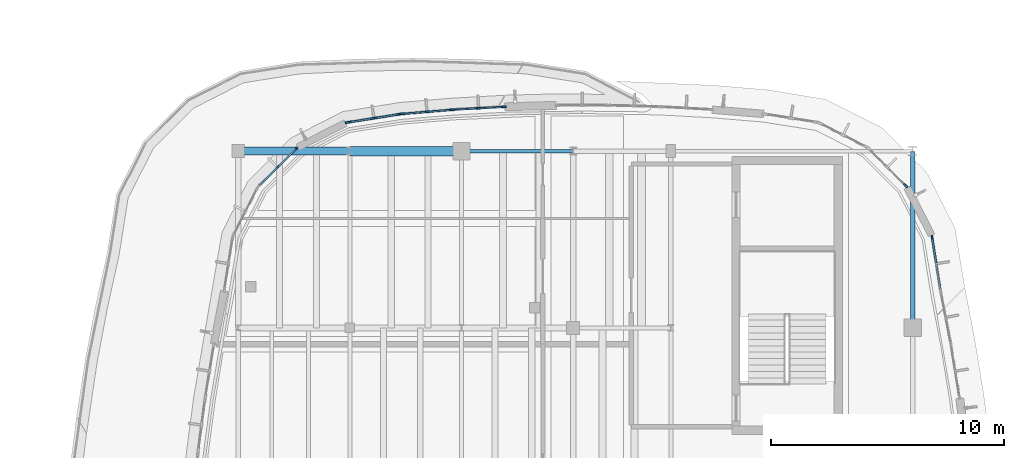
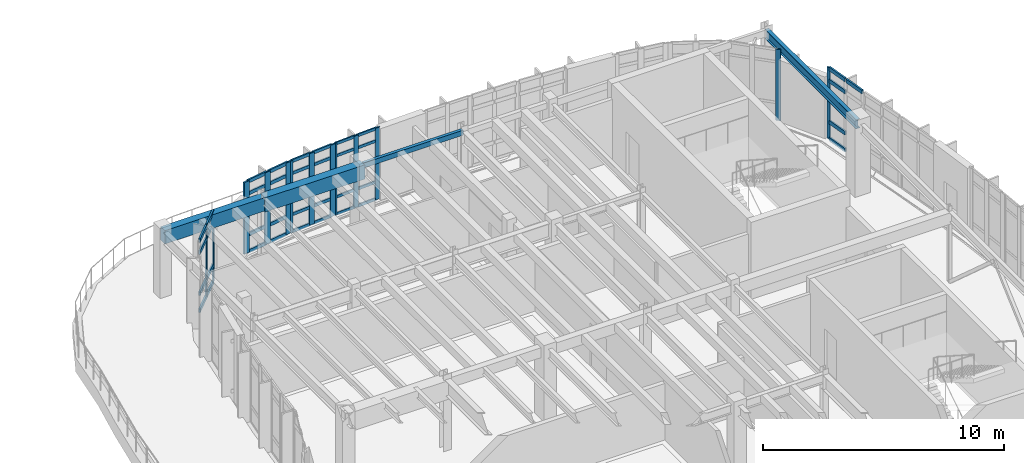
# One storey, part 49 of 105: 50 members, 4 beams, 6 elements without a shape of their own.
"""IFC4 building model written with IfcOpenShell, lengths in metres."""

from ifc_helpers import new_model, si_unit, direction, frame, origin, origin_2d, place, context, subcontext, project, spatial, rectangle, hollow_rectangle, i_section, extrude, material, material_profile, profile_set, type_object, element, aggregate, save


model = new_model("IFC4")

# Units and contexts
model_context = context("Model", 3, precision=1e-05, world=origin(), true_north=direction((0.0, 1.0)))
body_context = subcontext(model_context, "Body", "Model", "MODEL_VIEW")
ifc_project = project(units=[si_unit("LENGTHUNIT", "METRE"), si_unit("AREAUNIT", "SQUARE_METRE"), si_unit("VOLUMEUNIT", "CUBIC_METRE"), si_unit("PLANEANGLEUNIT", "RADIAN"), si_unit("MASSUNIT", "GRAM", prefix="KILO")], contexts=[model_context])

# Site, building, storey
site_placement = place(None, origin())
site = spatial("IfcSite", under=ifc_project, at=site_placement, CompositionType="ELEMENT")
building_placement = place(site_placement, origin())
building = spatial("IfcBuilding", under=site, at=building_placement, Name="Corveleigh Park Community Centre", CompositionType="ELEMENT")
storey_placement = place(building_placement, frame((0.0, 0.0, 8.699951171875)))
storey = spatial("IfcBuildingStorey", under=building, at=storey_placement, Name="L02", CompositionType="ELEMENT", Elevation=8.699951171875)

# Beam
ifc_material_1 = material(Name="Steel S355", Category="steel")
ifc_material_profile_1 = material_profile(ifc_material_1, i_section(OverallWidth=0.19189453125, OverallDepth=0.46337890625, WebThickness=0.010498046875, FlangeThickness=0.017578125, at=origin_2d()), Name="UKB 457x191x89", Category="steel")
ifc_profile_set_1 = profile_set([ifc_material_profile_1], Name="Steel S355")
beam_type_1 = type_object("IfcBeamType", Name="BM-STL-UKB457x89", PredefinedType="BEAM", material=ifc_profile_set_1)
beam_1_placement = place(storey_placement, frame((168.39990234375, 96.60498046875, 3.410400390625), z_axis=(0.0, 1.0, 0.0), x_axis=(-1.0, 0.0, 0.0)))
element("IfcBeam", 1, at=beam_1_placement, inside=storey, type_object=beam_type_1, Name="V4 Girder Y", PredefinedType="BEAM", context=body_context, shape_type="SweptSolid", body=[
    extrude(i_section(OverallWidth=0.19189453125, OverallDepth=0.46337890625, WebThickness=0.010498046875, FlangeThickness=0.017578125, at=origin_2d()), origin(), (0.0, 0.0, 1.0), 7.590087890625),
])

# Curtain wall, members
ifc_material_2 = material(Name="Anodised aluminium 6063-T6", Category="aluminium")
curtain_wall_type = type_object("IfcCurtainWallType", Name="CW-SYS-V4-L01", PredefinedType="NOTDEFINED", material=ifc_material_2)
curtain_wall_1_placement = place(storey_placement, origin())
curtain_wall_1 = element("IfcCurtainWall", 2, at=curtain_wall_1_placement, inside=storey, type_object=curtain_wall_type, Name="V4 L02 Curtain Wall 385", PredefinedType="NOTDEFINED")
ifc_material_profile_2 = material_profile(ifc_material_2, rectangle(XDim=0.06005859375, YDim=0.159912109375, at=origin_2d()), Name="ALU-M60x160", Category="aluminium")
ifc_profile_set_2 = profile_set([ifc_material_profile_2], Name="Anodised aluminium 6063-T6")
member_type_1 = type_object("IfcMemberType", Name="CWM-60x160", PredefinedType="MULLION", material=ifc_profile_set_2)
member_1_placement = place(storey_placement, frame((141.092041015625, 103.508056640625, 0.0), z_axis=(0.0, 0.0, 1.0), x_axis=(-0.707106781187, 0.707106781187, 0.0)))
member_1 = element("IfcMember", 3, at=member_1_placement, type_object=member_type_1, Name="CW08 mullion 2", PredefinedType="MULLION", context=body_context, shape_type="SweptSolid", body=[
    extrude(rectangle(XDim=0.06005859375, YDim=0.159912109375, at=origin_2d()), origin(), (0.0, 0.0, 1.0), 3.636962890625),
])
member_2_placement = place(storey_placement, frame((141.884765625, 104.30078125, 0.0), z_axis=(0.0, 0.0, 1.0), x_axis=(-0.707106781187, 0.707106781187, 0.0)))
member_2 = element("IfcMember", 4, at=member_2_placement, type_object=member_type_1, Name="CW08 mullion 3", PredefinedType="MULLION", context=body_context, shape_type="SweptSolid", body=[
    extrude(rectangle(XDim=0.06005859375, YDim=0.159912109375, at=origin_2d()), origin(), (0.0, 0.0, 1.0), 3.636962890625),
])

# Curtain wall, member
curtain_wall_2_placement = place(storey_placement, origin())
curtain_wall_2 = element("IfcCurtainWall", 5, at=curtain_wall_2_placement, inside=storey, type_object=curtain_wall_type, Name="V4 L02 Curtain Wall 375", PredefinedType="NOTDEFINED")
ifc_material_profile_3 = material_profile(ifc_material_2, rectangle(XDim=0.070068359375, YDim=0.199951171875, at=origin_2d()), Name="ALU-M70x200", Category="aluminium")
ifc_profile_set_3 = profile_set([ifc_material_profile_3], Name="Anodised aluminium 6063-T6")
member_type_2 = type_object("IfcMemberType", Name="CWM-70x200", PredefinedType="MULLION", material=ifc_profile_set_3)
member_3_placement = place(storey_placement, frame((169.239501953125, 100.476318359375, 0.0), z_axis=(0.0, 0.0, 1.0), x_axis=(0.987661875101, 0.156601470208, 0.0)))
member_3 = element("IfcMember", 6, at=member_3_placement, type_object=member_type_2, Name="CW08 mullion 1", PredefinedType="MULLION", context=body_context, shape_type="SweptSolid", body=[
    extrude(rectangle(XDim=0.070068359375, YDim=0.199951171875, at=origin_2d()), origin(), (0.0, 0.0, 1.0), 3.64208984375),
])

curtain_wall_3_placement = place(storey_placement, origin())
curtain_wall_3 = element("IfcCurtainWall", 7, at=curtain_wall_3_placement, inside=storey, type_object=curtain_wall_type, Name="V4 L02 Curtain Wall 376", PredefinedType="NOTDEFINED")
ifc_material_profile_4 = material_profile(ifc_material_2, rectangle(XDim=0.074951171875, YDim=0.219970703125, at=origin_2d()), Name="ALU-M75x220", Category="aluminium")
ifc_profile_set_4 = profile_set([ifc_material_profile_4], Name="Anodised aluminium 6063-T6")
member_type_3 = type_object("IfcMemberType", Name="CWM-75x220", PredefinedType="MULLION", material=ifc_profile_set_4)
member_4_placement = place(storey_placement, frame((168.095458984375, 102.720458984375, 0.0), z_axis=(0.0, 0.0, 1.0), x_axis=(0.707106781187, 0.707106781187, 0.0)))
member_4 = element("IfcMember", 8, at=member_4_placement, type_object=member_type_3, Name="CW08 mullion 3", PredefinedType="MULLION", context=body_context, shape_type="SweptSolid", body=[
    extrude(rectangle(XDim=0.074951171875, YDim=0.219970703125, at=origin_2d()), origin(), (0.0, 0.0, 1.0), 3.612060546875),
])
aggregate(curtain_wall_3, [member_4])

# Curtain wall, members
curtain_wall_4_placement = place(storey_placement, origin())
curtain_wall_4 = element("IfcCurtainWall", 9, at=curtain_wall_4_placement, inside=storey, type_object=curtain_wall_type, Name="V4 L02 Curtain Wall 382", PredefinedType="NOTDEFINED")
member_5_placement = place(storey_placement, frame((148.67041015625, 105.986083984375, 0.0), z_axis=(0.0, 0.0, 1.0), x_axis=(-0.055545052181, 0.998456181902, 0.0)))
member_5 = element("IfcMember", 10, at=member_5_placement, type_object=member_type_3, Name="CW08 mullion 1", PredefinedType="MULLION", context=body_context, shape_type="SweptSolid", body=[
    extrude(rectangle(XDim=0.074951171875, YDim=0.219970703125, at=origin_2d()), origin(), (0.0, 0.0, 1.0), 3.636962890625),
])
member_6_placement = place(storey_placement, frame((149.738525390625, 106.04541015625, 0.0), z_axis=(0.0, 0.0, 1.0), x_axis=(-0.055545052181, 0.998456181902, 0.0)))
member_6 = element("IfcMember", 11, at=member_6_placement, type_object=member_type_3, Name="CW08 mullion 2", PredefinedType="MULLION", context=body_context, shape_type="SweptSolid", body=[
    extrude(rectangle(XDim=0.074951171875, YDim=0.219970703125, at=origin_2d()), origin(), (0.0, 0.0, 1.0), 3.636962890625),
])
member_7_placement = place(storey_placement, frame((150.806640625, 106.10498046875, 0.0), z_axis=(0.0, 0.0, 1.0), x_axis=(-0.055545052181, 0.998456181902, 0.0)))
member_7 = element("IfcMember", 12, at=member_7_placement, type_object=member_type_3, Name="CW08 mullion 3", PredefinedType="MULLION", context=body_context, shape_type="SweptSolid", body=[
    extrude(rectangle(XDim=0.074951171875, YDim=0.219970703125, at=origin_2d()), origin(), (0.0, 0.0, 1.0), 3.636962890625),
])

curtain_wall_5_placement = place(storey_placement, origin())
curtain_wall_5 = element("IfcCurtainWall", 13, at=curtain_wall_5_placement, inside=storey, type_object=curtain_wall_type, Name="V4 L02 Curtain Wall 383", PredefinedType="NOTDEFINED")
ifc_material_profile_5 = material_profile(ifc_material_2, rectangle(XDim=0.080078125, YDim=0.25, at=origin_2d()), Name="ALU-M80x250", Category="aluminium")
ifc_profile_set_5 = profile_set([ifc_material_profile_5], Name="Anodised aluminium 6063-T6")
member_type_4 = type_object("IfcMemberType", Name="CWM-80x250", PredefinedType="MULLION", material=ifc_profile_set_5)
member_8_placement = place(storey_placement, frame((146.452880859375, 105.80419921875, 0.0), z_axis=(0.0, 0.0, 1.0), x_axis=(-0.082371258806, 0.996601713686, 0.0)))
member_8 = element("IfcMember", 14, at=member_8_placement, type_object=member_type_4, Name="CW08 mullion 1", PredefinedType="MULLION", context=body_context, shape_type="SweptSolid", body=[
    extrude(rectangle(XDim=0.080078125, YDim=0.25, at=origin_2d()), origin(), (0.0, 0.0, 1.0), 3.636962890625),
])
member_9_placement = place(storey_placement, frame((147.513916015625, 105.89208984375, 0.0), z_axis=(0.0, 0.0, 1.0), x_axis=(-0.082371258806, 0.996601713686, 0.0)))
member_9 = element("IfcMember", 15, at=member_9_placement, type_object=member_type_4, Name="CW08 mullion 2", PredefinedType="MULLION", context=body_context, shape_type="SweptSolid", body=[
    extrude(rectangle(XDim=0.080078125, YDim=0.25, at=origin_2d()), origin(), (0.0, 0.0, 1.0), 3.636962890625),
])
member_10_placement = place(storey_placement, frame((148.5751953125, 105.979736328125, 0.0), z_axis=(0.0, 0.0, 1.0), x_axis=(-0.082371258806, 0.996601713686, 0.0)))
member_10 = element("IfcMember", 16, at=member_10_placement, type_object=member_type_4, Name="CW08 mullion 3", PredefinedType="MULLION", context=body_context, shape_type="SweptSolid", body=[
    extrude(rectangle(XDim=0.080078125, YDim=0.25, at=origin_2d()), origin(), (0.0, 0.0, 1.0), 3.636962890625),
])

curtain_wall_6_placement = place(storey_placement, origin())
curtain_wall_6 = element("IfcCurtainWall", 17, at=curtain_wall_6_placement, inside=storey, type_object=curtain_wall_type, Name="V4 L02 Curtain Wall 384", PredefinedType="NOTDEFINED")
ifc_material_profile_6 = material_profile(ifc_material_2, rectangle(XDim=0.0849609375, YDim=0.27490234375, at=origin_2d()), Name="ALU-M85x275", Category="aluminium")
ifc_profile_set_6 = profile_set([ifc_material_profile_6], Name="Anodised aluminium 6063-T6")
member_type_5 = type_object("IfcMemberType", Name="CWM-85x275", PredefinedType="MULLION", material=ifc_profile_set_6)
member_11_placement = place(storey_placement, frame((144.130859375, 105.440673828125, 0.0), z_axis=(0.0, 0.0, 1.0), x_axis=(-0.156448115315, 0.987686178507, 0.0)))
member_11 = element("IfcMember", 18, at=member_11_placement, type_object=member_type_5, Name="CW08 mullion 1", PredefinedType="MULLION", context=body_context, shape_type="SweptSolid", body=[
    extrude(rectangle(XDim=0.0849609375, YDim=0.27490234375, at=origin_2d()), origin(), (0.0, 0.0, 1.0), 3.636962890625),
])
member_12_placement = place(storey_placement, frame((145.238037109375, 105.615966796875, 0.0), z_axis=(0.0, 0.0, 1.0), x_axis=(-0.156448115315, 0.987686178507, 0.0)))
member_12 = element("IfcMember", 19, at=member_12_placement, type_object=member_type_5, Name="CW08 mullion 2", PredefinedType="MULLION", context=body_context, shape_type="SweptSolid", body=[
    extrude(rectangle(XDim=0.0849609375, YDim=0.27490234375, at=origin_2d()), origin(), (0.0, 0.0, 1.0), 3.636962890625),
])
member_13_placement = place(storey_placement, frame((146.344970703125, 105.791259765625, 0.0), z_axis=(0.0, 0.0, 1.0), x_axis=(-0.156448115315, 0.987686178507, 0.0)))
member_13 = element("IfcMember", 20, at=member_13_placement, type_object=member_type_5, Name="CW08 mullion 3", PredefinedType="MULLION", context=body_context, shape_type="SweptSolid", body=[
    extrude(rectangle(XDim=0.0849609375, YDim=0.27490234375, at=origin_2d()), origin(), (0.0, 0.0, 1.0), 3.636962890625),
])

# Member
ifc_material_profile_7 = material_profile(ifc_material_2, rectangle(XDim=0.06494140625, YDim=0.139892578125, at=origin_2d()), Name="ALU-T65x140", Category="aluminium")
ifc_profile_set_7 = profile_set([ifc_material_profile_7], Name="Anodised aluminium 6063-T6")
member_type_6 = type_object("IfcMemberType", Name="CWT-65x140", PredefinedType="USERDEFINED", material=ifc_profile_set_7)
member_14_placement = place(storey_placement, frame((148.707763671875, 105.98828125, 0.032470703125), z_axis=(0.998461108136, 0.055456429206, 0.0), x_axis=(-0.055456429206, 0.998461108136, 0.0)))
member_14 = element("IfcMember", 21, at=member_14_placement, type_object=member_type_6, Name="CW08 transom 1.1", ObjectType="TRANSOM", PredefinedType="USERDEFINED", context=body_context, shape_type="SweptSolid", body=[
    extrude(rectangle(XDim=0.06494140625, YDim=0.139892578125, at=origin_2d()), origin(), (0.0, 0.0, 1.0), 0.994873046875),
])

member_15_placement = place(storey_placement, frame((148.707763671875, 105.98828125, 0.900146484375), z_axis=(0.998461108136, 0.055456429206, 0.0), x_axis=(-0.055456429206, 0.998461108136, 0.0)))
member_15 = element("IfcMember", 22, at=member_15_placement, type_object=member_type_6, Name="CW08 transom 1.2", ObjectType="TRANSOM", PredefinedType="USERDEFINED", context=body_context, shape_type="SweptSolid", body=[
    extrude(rectangle(XDim=0.06494140625, YDim=0.139892578125, at=origin_2d()), origin(), (0.0, 0.0, 1.0), 0.994873046875),
])

member_16_placement = place(storey_placement, frame((148.707763671875, 105.98828125, 2.987060546875), z_axis=(0.998461108136, 0.055456429206, 0.0), x_axis=(-0.055456429206, 0.998461108136, 0.0)))
member_16 = element("IfcMember", 23, at=member_16_placement, type_object=member_type_6, Name="CW08 transom 1.3", ObjectType="TRANSOM", PredefinedType="USERDEFINED", context=body_context, shape_type="SweptSolid", body=[
    extrude(rectangle(XDim=0.06494140625, YDim=0.139892578125, at=origin_2d()), origin(), (0.0, 0.0, 1.0), 0.994873046875),
])

member_17_placement = place(storey_placement, frame((148.707763671875, 105.98828125, 3.6044921875), z_axis=(0.998461108136, 0.055456429206, 0.0), x_axis=(-0.055456429206, 0.998461108136, 0.0)))
member_17 = element("IfcMember", 24, at=member_17_placement, type_object=member_type_6, Name="CW08 transom 1.4", ObjectType="TRANSOM", PredefinedType="USERDEFINED", context=body_context, shape_type="SweptSolid", body=[
    extrude(rectangle(XDim=0.06494140625, YDim=0.139892578125, at=origin_2d()), origin(), (0.0, 0.0, 1.0), 0.994873046875),
])

member_18_placement = place(storey_placement, frame((149.77587890625, 106.047607421875, 0.032470703125), z_axis=(0.998460353205, 0.055470019623, 0.0), x_axis=(-0.055470019623, 0.998460353205, 0.0)))
member_18 = element("IfcMember", 25, at=member_18_placement, type_object=member_type_6, Name="CW08 transom 2.1", ObjectType="TRANSOM", PredefinedType="USERDEFINED", context=body_context, shape_type="SweptSolid", body=[
    extrude(rectangle(XDim=0.06494140625, YDim=0.139892578125, at=origin_2d()), origin(), (0.0, 0.0, 1.0), 0.99462890625),
])

member_19_placement = place(storey_placement, frame((149.77587890625, 106.047607421875, 0.900146484375), z_axis=(0.998460353205, 0.055470019623, 0.0), x_axis=(-0.055470019623, 0.998460353205, 0.0)))
member_19 = element("IfcMember", 26, at=member_19_placement, type_object=member_type_6, Name="CW08 transom 2.2", ObjectType="TRANSOM", PredefinedType="USERDEFINED", context=body_context, shape_type="SweptSolid", body=[
    extrude(rectangle(XDim=0.06494140625, YDim=0.139892578125, at=origin_2d()), origin(), (0.0, 0.0, 1.0), 0.99462890625),
])

member_20_placement = place(storey_placement, frame((149.77587890625, 106.047607421875, 2.987060546875), z_axis=(0.998460353205, 0.055470019623, 0.0), x_axis=(-0.055470019623, 0.998460353205, 0.0)))
member_20 = element("IfcMember", 27, at=member_20_placement, type_object=member_type_6, Name="CW08 transom 2.3", ObjectType="TRANSOM", PredefinedType="USERDEFINED", context=body_context, shape_type="SweptSolid", body=[
    extrude(rectangle(XDim=0.06494140625, YDim=0.139892578125, at=origin_2d()), origin(), (0.0, 0.0, 1.0), 0.99462890625),
])

member_21_placement = place(storey_placement, frame((149.77587890625, 106.047607421875, 3.6044921875), z_axis=(0.998460353205, 0.055470019623, 0.0), x_axis=(-0.055470019623, 0.998460353205, 0.0)))
member_21 = element("IfcMember", 28, at=member_21_placement, type_object=member_type_6, Name="CW08 transom 2.4", ObjectType="TRANSOM", PredefinedType="USERDEFINED", context=body_context, shape_type="SweptSolid", body=[
    extrude(rectangle(XDim=0.06494140625, YDim=0.139892578125, at=origin_2d()), origin(), (0.0, 0.0, 1.0), 0.99462890625),
])

aggregate(curtain_wall_4, [member_5, member_6, member_7, member_14, member_15, member_16, member_17, member_18, member_19, member_20, member_21])

ifc_material_profile_8 = material_profile(ifc_material_2, rectangle(XDim=0.070068359375, YDim=0.155029296875, at=origin_2d()), Name="ALU-T70x155", Category="aluminium")
ifc_profile_set_8 = profile_set([ifc_material_profile_8], Name="Anodised aluminium 6063-T6")
member_type_7 = type_object("IfcMemberType", Name="CWT-70x155", PredefinedType="USERDEFINED", material=ifc_profile_set_8)
member_22_placement = place(storey_placement, frame((146.49267578125, 105.8076171875, 0.03515625), z_axis=(0.996607035144, 0.082306849669, 0.0), x_axis=(-0.082306849669, 0.996607035144, 0.0)))
member_22 = element("IfcMember", 29, at=member_22_placement, type_object=member_type_7, Name="CW08 transom 1.1", ObjectType="TRANSOM", PredefinedType="USERDEFINED", context=body_context, shape_type="SweptSolid", body=[
    extrude(rectangle(XDim=0.070068359375, YDim=0.155029296875, at=origin_2d()), origin(), (0.0, 0.0, 1.0), 0.98486328125),
])

member_23_placement = place(storey_placement, frame((146.49267578125, 105.8076171875, 0.900146484375), z_axis=(0.996607035144, 0.082306849669, 0.0), x_axis=(-0.082306849669, 0.996607035144, 0.0)))
member_23 = element("IfcMember", 30, at=member_23_placement, type_object=member_type_7, Name="CW08 transom 1.2", ObjectType="TRANSOM", PredefinedType="USERDEFINED", context=body_context, shape_type="SweptSolid", body=[
    extrude(rectangle(XDim=0.070068359375, YDim=0.155029296875, at=origin_2d()), origin(), (0.0, 0.0, 1.0), 0.98486328125),
])

member_24_placement = place(storey_placement, frame((146.49267578125, 105.8076171875, 2.987060546875), z_axis=(0.996607035144, 0.082306849669, 0.0), x_axis=(-0.082306849669, 0.996607035144, 0.0)))
member_24 = element("IfcMember", 31, at=member_24_placement, type_object=member_type_7, Name="CW08 transom 1.3", ObjectType="TRANSOM", PredefinedType="USERDEFINED", context=body_context, shape_type="SweptSolid", body=[
    extrude(rectangle(XDim=0.070068359375, YDim=0.155029296875, at=origin_2d()), origin(), (0.0, 0.0, 1.0), 0.98486328125),
])

member_25_placement = place(storey_placement, frame((146.49267578125, 105.8076171875, 3.60205078125), z_axis=(0.996607035144, 0.082306849669, 0.0), x_axis=(-0.082306849669, 0.996607035144, 0.0)))
member_25 = element("IfcMember", 32, at=member_25_placement, type_object=member_type_7, Name="CW08 transom 1.4", ObjectType="TRANSOM", PredefinedType="USERDEFINED", context=body_context, shape_type="SweptSolid", body=[
    extrude(rectangle(XDim=0.070068359375, YDim=0.155029296875, at=origin_2d()), origin(), (0.0, 0.0, 1.0), 0.98486328125),
])

member_26_placement = place(storey_placement, frame((147.553955078125, 105.895263671875, 0.03515625), z_axis=(0.99660535506, 0.082327190316, 0.0), x_axis=(-0.082327190316, 0.99660535506, 0.0)))
member_26 = element("IfcMember", 33, at=member_26_placement, type_object=member_type_7, Name="CW08 transom 2.1", ObjectType="TRANSOM", PredefinedType="USERDEFINED", context=body_context, shape_type="SweptSolid", body=[
    extrude(rectangle(XDim=0.070068359375, YDim=0.155029296875, at=origin_2d()), origin(), (0.0, 0.0, 1.0), 0.984619140625),
])

member_27_placement = place(storey_placement, frame((147.553955078125, 105.895263671875, 0.900146484375), z_axis=(0.99660535506, 0.082327190316, 0.0), x_axis=(-0.082327190316, 0.99660535506, 0.0)))
member_27 = element("IfcMember", 34, at=member_27_placement, type_object=member_type_7, Name="CW08 transom 2.2", ObjectType="TRANSOM", PredefinedType="USERDEFINED", context=body_context, shape_type="SweptSolid", body=[
    extrude(rectangle(XDim=0.070068359375, YDim=0.155029296875, at=origin_2d()), origin(), (0.0, 0.0, 1.0), 0.984619140625),
])

member_28_placement = place(storey_placement, frame((147.553955078125, 105.895263671875, 2.987060546875), z_axis=(0.99660535506, 0.082327190316, 0.0), x_axis=(-0.082327190316, 0.99660535506, 0.0)))
member_28 = element("IfcMember", 35, at=member_28_placement, type_object=member_type_7, Name="CW08 transom 2.3", ObjectType="TRANSOM", PredefinedType="USERDEFINED", context=body_context, shape_type="SweptSolid", body=[
    extrude(rectangle(XDim=0.070068359375, YDim=0.155029296875, at=origin_2d()), origin(), (0.0, 0.0, 1.0), 0.984619140625),
])

member_29_placement = place(storey_placement, frame((147.553955078125, 105.895263671875, 3.60205078125), z_axis=(0.99660535506, 0.082327190316, 0.0), x_axis=(-0.082327190316, 0.99660535506, 0.0)))
member_29 = element("IfcMember", 36, at=member_29_placement, type_object=member_type_7, Name="CW08 transom 2.4", ObjectType="TRANSOM", PredefinedType="USERDEFINED", context=body_context, shape_type="SweptSolid", body=[
    extrude(rectangle(XDim=0.070068359375, YDim=0.155029296875, at=origin_2d()), origin(), (0.0, 0.0, 1.0), 0.984619140625),
])

aggregate(curtain_wall_5, [member_8, member_9, member_10, member_22, member_23, member_24, member_25, member_26, member_27, member_28, member_29])

ifc_material_profile_9 = material_profile(ifc_material_2, rectangle(XDim=0.074951171875, YDim=0.175048828125, at=origin_2d()), Name="ALU-T75x175", Category="aluminium")
ifc_profile_set_9 = profile_set([ifc_material_profile_9], Name="Anodised aluminium 6063-T6")
member_type_8 = type_object("IfcMemberType", Name="CWT-75x175", PredefinedType="USERDEFINED", material=ifc_profile_set_9)
member_30_placement = place(storey_placement, frame((144.1728515625, 105.447265625, 0.03759765625), z_axis=(0.987680663252, 0.156482930184, 0.0), x_axis=(-0.156482930184, 0.987680663252, 0.0)))
member_30 = element("IfcMember", 37, at=member_30_placement, type_object=member_type_8, Name="CW08 transom 1.1", ObjectType="TRANSOM", PredefinedType="USERDEFINED", context=body_context, shape_type="SweptSolid", body=[
    extrude(rectangle(XDim=0.074951171875, YDim=0.175048828125, at=origin_2d()), origin(), (0.0, 0.0, 1.0), 1.035888671875),
])

member_31_placement = place(storey_placement, frame((144.1728515625, 105.447265625, 0.900146484375), z_axis=(0.987680663252, 0.156482930184, 0.0), x_axis=(-0.156482930184, 0.987680663252, 0.0)))
member_31 = element("IfcMember", 38, at=member_31_placement, type_object=member_type_8, Name="CW08 transom 1.2", ObjectType="TRANSOM", PredefinedType="USERDEFINED", context=body_context, shape_type="SweptSolid", body=[
    extrude(rectangle(XDim=0.074951171875, YDim=0.175048828125, at=origin_2d()), origin(), (0.0, 0.0, 1.0), 1.035888671875),
])

member_32_placement = place(storey_placement, frame((144.1728515625, 105.447265625, 2.987060546875), z_axis=(0.987680663252, 0.156482930184, 0.0), x_axis=(-0.156482930184, 0.987680663252, 0.0)))
member_32 = element("IfcMember", 39, at=member_32_placement, type_object=member_type_8, Name="CW08 transom 1.3", ObjectType="TRANSOM", PredefinedType="USERDEFINED", context=body_context, shape_type="SweptSolid", body=[
    extrude(rectangle(XDim=0.074951171875, YDim=0.175048828125, at=origin_2d()), origin(), (0.0, 0.0, 1.0), 1.035888671875),
])

member_33_placement = place(storey_placement, frame((144.1728515625, 105.447265625, 3.599609375), z_axis=(0.987680663252, 0.156482930184, 0.0), x_axis=(-0.156482930184, 0.987680663252, 0.0)))
member_33 = element("IfcMember", 40, at=member_33_placement, type_object=member_type_8, Name="CW08 transom 1.4", ObjectType="TRANSOM", PredefinedType="USERDEFINED", context=body_context, shape_type="SweptSolid", body=[
    extrude(rectangle(XDim=0.074951171875, YDim=0.175048828125, at=origin_2d()), origin(), (0.0, 0.0, 1.0), 1.035888671875),
])

member_34_placement = place(storey_placement, frame((145.280029296875, 105.62255859375, 0.03759765625), z_axis=(0.987674890479, 0.156519362119, 0.0), x_axis=(-0.156519362119, 0.987674890479, 0.0)))
member_34 = element("IfcMember", 41, at=member_34_placement, type_object=member_type_8, Name="CW08 transom 2.1", ObjectType="TRANSOM", PredefinedType="USERDEFINED", context=body_context, shape_type="SweptSolid", body=[
    extrude(rectangle(XDim=0.074951171875, YDim=0.175048828125, at=origin_2d()), origin(), (0.0, 0.0, 1.0), 1.03564453125),
])

member_35_placement = place(storey_placement, frame((145.280029296875, 105.62255859375, 0.900146484375), z_axis=(0.987674890479, 0.156519362119, 0.0), x_axis=(-0.156519362119, 0.987674890479, 0.0)))
member_35 = element("IfcMember", 42, at=member_35_placement, type_object=member_type_8, Name="CW08 transom 2.2", ObjectType="TRANSOM", PredefinedType="USERDEFINED", context=body_context, shape_type="SweptSolid", body=[
    extrude(rectangle(XDim=0.074951171875, YDim=0.175048828125, at=origin_2d()), origin(), (0.0, 0.0, 1.0), 1.03564453125),
])

member_36_placement = place(storey_placement, frame((145.280029296875, 105.62255859375, 2.987060546875), z_axis=(0.987674890479, 0.156519362119, 0.0), x_axis=(-0.156519362119, 0.987674890479, 0.0)))
member_36 = element("IfcMember", 43, at=member_36_placement, type_object=member_type_8, Name="CW08 transom 2.3", ObjectType="TRANSOM", PredefinedType="USERDEFINED", context=body_context, shape_type="SweptSolid", body=[
    extrude(rectangle(XDim=0.074951171875, YDim=0.175048828125, at=origin_2d()), origin(), (0.0, 0.0, 1.0), 1.03564453125),
])

member_37_placement = place(storey_placement, frame((145.280029296875, 105.62255859375, 3.599609375), z_axis=(0.987674890479, 0.156519362119, 0.0), x_axis=(-0.156519362119, 0.987674890479, 0.0)))
member_37 = element("IfcMember", 44, at=member_37_placement, type_object=member_type_8, Name="CW08 transom 2.4", ObjectType="TRANSOM", PredefinedType="USERDEFINED", context=body_context, shape_type="SweptSolid", body=[
    extrude(rectangle(XDim=0.074951171875, YDim=0.175048828125, at=origin_2d()), origin(), (0.0, 0.0, 1.0), 1.03564453125),
])

aggregate(curtain_wall_6, [member_11, member_12, member_13, member_30, member_31, member_32, member_33, member_34, member_35, member_36, member_37])

ifc_material_profile_10 = material_profile(ifc_material_2, rectangle(XDim=0.080078125, YDim=0.195068359375, at=origin_2d()), Name="ALU-T80x195", Category="aluminium")
ifc_profile_set_10 = profile_set([ifc_material_profile_10], Name="Anodised aluminium 6063-T6")
member_type_9 = type_object("IfcMemberType", Name="CWT-80x195", PredefinedType="USERDEFINED", material=ifc_profile_set_10)
member_38_placement = place(storey_placement, frame((169.244873046875, 100.44189453125, 0.0400390625), z_axis=(0.156778237517, -0.987633831053, 0.0), x_axis=(0.987633831053, 0.156778237517, 0.0)))
member_38 = element("IfcMember", 45, at=member_38_placement, type_object=member_type_9, Name="CW08 transom 1.1", ObjectType="TRANSOM", PredefinedType="USERDEFINED", context=body_context, shape_type="SweptSolid", body=[
    extrude(rectangle(XDim=0.080078125, YDim=0.195068359375, at=origin_2d()), origin(), (0.0, 0.0, 1.0), 1.060546875),
])

member_39_placement = place(storey_placement, frame((169.244873046875, 100.44189453125, 0.900146484375), z_axis=(0.156778237517, -0.987633831053, 0.0), x_axis=(0.987633831053, 0.156778237517, 0.0)))
member_39 = element("IfcMember", 46, at=member_39_placement, type_object=member_type_9, Name="CW08 transom 1.2", ObjectType="TRANSOM", PredefinedType="USERDEFINED", context=body_context, shape_type="SweptSolid", body=[
    extrude(rectangle(XDim=0.080078125, YDim=0.195068359375, at=origin_2d()), origin(), (0.0, 0.0, 1.0), 1.060546875),
])

member_40_placement = place(storey_placement, frame((169.244873046875, 100.44189453125, 2.991943359375), z_axis=(0.156778237517, -0.987633831053, 0.0), x_axis=(0.987633831053, 0.156778237517, 0.0)))
member_40 = element("IfcMember", 47, at=member_40_placement, type_object=member_type_9, Name="CW08 transom 1.3", ObjectType="TRANSOM", PredefinedType="USERDEFINED", context=body_context, shape_type="SweptSolid", body=[
    extrude(rectangle(XDim=0.080078125, YDim=0.195068359375, at=origin_2d()), origin(), (0.0, 0.0, 1.0), 1.060546875),
])

member_41_placement = place(storey_placement, frame((169.244873046875, 100.44189453125, 3.60205078125), z_axis=(0.156778237517, -0.987633831053, 0.0), x_axis=(0.987633831053, 0.156778237517, 0.0)))
member_41 = element("IfcMember", 48, at=member_41_placement, type_object=member_type_9, Name="CW08 transom 1.4", ObjectType="TRANSOM", PredefinedType="USERDEFINED", context=body_context, shape_type="SweptSolid", body=[
    extrude(rectangle(XDim=0.080078125, YDim=0.195068359375, at=origin_2d()), origin(), (0.0, 0.0, 1.0), 1.060546875),
])

member_42_placement = place(storey_placement, frame((169.421875, 99.325439453125, 3.60205078125), z_axis=(0.156778237517, -0.987633831053, 0.0), x_axis=(0.987633831053, 0.156778237517, 0.0)))
member_42 = element("IfcMember", 49, at=member_42_placement, type_object=member_type_9, Name="CW08 transom 2.4", ObjectType="TRANSOM", PredefinedType="USERDEFINED", context=body_context, shape_type="SweptSolid", body=[
    extrude(rectangle(XDim=0.080078125, YDim=0.195068359375, at=origin_2d()), origin(), (0.0, 0.0, 1.0), 1.060546875),
])

aggregate(curtain_wall_2, [member_3, member_38, member_39, member_40, member_41, member_42])

member_43_placement = place(storey_placement, frame((140.3203125, 102.736328125, 0.0400390625), z_axis=(0.707106781187, 0.707106781187, 0.0), x_axis=(-0.707106781187, 0.707106781187, 0.0)))
member_43 = element("IfcMember", 50, at=member_43_placement, type_object=member_type_9, Name="CW08 transom 1.1", ObjectType="TRANSOM", PredefinedType="USERDEFINED", context=body_context, shape_type="SweptSolid", body=[
    extrude(rectangle(XDim=0.080078125, YDim=0.195068359375, at=origin_2d()), origin(), (0.0, 0.0, 1.0), 1.061279296875),
])

member_44_placement = place(storey_placement, frame((140.3203125, 102.736328125, 0.900146484375), z_axis=(0.707106781187, 0.707106781187, 0.0), x_axis=(-0.707106781187, 0.707106781187, 0.0)))
member_44 = element("IfcMember", 51, at=member_44_placement, type_object=member_type_9, Name="CW08 transom 1.2", ObjectType="TRANSOM", PredefinedType="USERDEFINED", context=body_context, shape_type="SweptSolid", body=[
    extrude(rectangle(XDim=0.080078125, YDim=0.195068359375, at=origin_2d()), origin(), (0.0, 0.0, 1.0), 1.061279296875),
])

member_45_placement = place(storey_placement, frame((140.3203125, 102.736328125, 2.987060546875), z_axis=(0.707106781187, 0.707106781187, 0.0), x_axis=(-0.707106781187, 0.707106781187, 0.0)))
member_45 = element("IfcMember", 52, at=member_45_placement, type_object=member_type_9, Name="CW08 transom 1.3", ObjectType="TRANSOM", PredefinedType="USERDEFINED", context=body_context, shape_type="SweptSolid", body=[
    extrude(rectangle(XDim=0.080078125, YDim=0.195068359375, at=origin_2d()), origin(), (0.0, 0.0, 1.0), 1.061279296875),
])

member_46_placement = place(storey_placement, frame((140.3203125, 102.736328125, 3.59716796875), z_axis=(0.707106781187, 0.707106781187, 0.0), x_axis=(-0.707106781187, 0.707106781187, 0.0)))
member_46 = element("IfcMember", 53, at=member_46_placement, type_object=member_type_9, Name="CW08 transom 1.4", ObjectType="TRANSOM", PredefinedType="USERDEFINED", context=body_context, shape_type="SweptSolid", body=[
    extrude(rectangle(XDim=0.080078125, YDim=0.195068359375, at=origin_2d()), origin(), (0.0, 0.0, 1.0), 1.061279296875),
])

member_47_placement = place(storey_placement, frame((141.11328125, 103.529296875, 0.0400390625), z_axis=(0.707106781187, 0.707106781187, 0.0), x_axis=(-0.707106781187, 0.707106781187, 0.0)))
member_47 = element("IfcMember", 54, at=member_47_placement, type_object=member_type_9, Name="CW08 transom 2.1", ObjectType="TRANSOM", PredefinedType="USERDEFINED", context=body_context, shape_type="SweptSolid", body=[
    extrude(rectangle(XDim=0.080078125, YDim=0.195068359375, at=origin_2d()), origin(), (0.0, 0.0, 1.0), 1.06103515625),
])

member_48_placement = place(storey_placement, frame((141.11328125, 103.529296875, 0.900146484375), z_axis=(0.707106781187, 0.707106781187, 0.0), x_axis=(-0.707106781187, 0.707106781187, 0.0)))
member_48 = element("IfcMember", 55, at=member_48_placement, type_object=member_type_9, Name="CW08 transom 2.2", ObjectType="TRANSOM", PredefinedType="USERDEFINED", context=body_context, shape_type="SweptSolid", body=[
    extrude(rectangle(XDim=0.080078125, YDim=0.195068359375, at=origin_2d()), origin(), (0.0, 0.0, 1.0), 1.06103515625),
])

member_49_placement = place(storey_placement, frame((141.11328125, 103.529296875, 2.987060546875), z_axis=(0.707106781187, 0.707106781187, 0.0), x_axis=(-0.707106781187, 0.707106781187, 0.0)))
member_49 = element("IfcMember", 56, at=member_49_placement, type_object=member_type_9, Name="CW08 transom 2.3", ObjectType="TRANSOM", PredefinedType="USERDEFINED", context=body_context, shape_type="SweptSolid", body=[
    extrude(rectangle(XDim=0.080078125, YDim=0.195068359375, at=origin_2d()), origin(), (0.0, 0.0, 1.0), 1.06103515625),
])

member_50_placement = place(storey_placement, frame((141.11328125, 103.529296875, 3.59716796875), z_axis=(0.707106781187, 0.707106781187, 0.0), x_axis=(-0.707106781187, 0.707106781187, 0.0)))
member_50 = element("IfcMember", 57, at=member_50_placement, type_object=member_type_9, Name="CW08 transom 2.4", ObjectType="TRANSOM", PredefinedType="USERDEFINED", context=body_context, shape_type="SweptSolid", body=[
    extrude(rectangle(XDim=0.080078125, YDim=0.195068359375, at=origin_2d()), origin(), (0.0, 0.0, 1.0), 1.06103515625),
])

aggregate(curtain_wall_1, [member_1, member_2, member_43, member_44, member_45, member_46, member_47, member_48, member_49, member_50])

# Beams
ifc_material_3 = material(Name="Concrete C40/50", Category="concrete")
ifc_material_profile_11 = material_profile(ifc_material_3, rectangle(XDim=0.35009765625, YDim=0.679931640625, at=origin_2d()), Name="RC-350x680", Category="concrete")
ifc_profile_set_11 = profile_set([ifc_material_profile_11], Name="Concrete C40/50")
beam_type_2 = type_object("IfcBeamType", Name="SP-RC-350x680", PredefinedType="SPANDREL", material=ifc_profile_set_11)
beam_2_placement = place(storey_placement, frame((139.405029296875, 104.199951171875, 3.297119140625), z_axis=(1.0, 0.0, 0.0), x_axis=(0.0, 1.0, 0.0)))
element("IfcBeam", 58, at=beam_2_placement, inside=storey, type_object=beam_type_2, Name="V4 Girder X", PredefinedType="SPANDREL", context=body_context, shape_type="SweptSolid", body=[
    extrude(rectangle(XDim=0.35009765625, YDim=0.679931640625, at=origin_2d()), origin(), (0.0, 0.0, 1.0), 4.7900390625),
])
ifc_material_profile_12 = material_profile(ifc_material_3, rectangle(XDim=0.39990234375, YDim=0.719970703125, at=origin_2d()), Name="RC-400x720", Category="concrete")
ifc_profile_set_12 = profile_set([ifc_material_profile_12], Name="Concrete C40/50")
beam_type_3 = type_object("IfcBeamType", Name="SP-RC-400x720", PredefinedType="SPANDREL", material=ifc_profile_set_12)
beam_3_placement = place(storey_placement, frame((144.205078125, 104.199951171875, 3.277099609375), z_axis=(1.0, 0.0, 0.0), x_axis=(0.0, 1.0, 0.0)))
element("IfcBeam", 59, at=beam_3_placement, inside=storey, type_object=beam_type_3, Name="V4 Girder X", PredefinedType="SPANDREL", context=body_context, shape_type="SweptSolid", body=[
    extrude(rectangle(XDim=0.39990234375, YDim=0.719970703125, at=origin_2d()), origin(), (0.0, 0.0, 1.0), 4.7900390625),
])
ifc_material_profile_13 = material_profile(ifc_material_1, hollow_rectangle(XDim=0.14990234375, YDim=0.25, WallThickness=0.010009765625, at=origin_2d()), Name="RHS 250x150x10.0", Category="steel")
ifc_profile_set_13 = profile_set([ifc_material_profile_13], Name="Steel S355")
beam_type_4 = type_object("IfcBeamType", Name="SP-STL-RHS250x150", PredefinedType="SPANDREL", material=ifc_profile_set_13)
beam_4_placement = place(storey_placement, frame((149.0048828125, 104.199951171875, 3.51708984375), z_axis=(1.0, 0.0, 0.0), x_axis=(0.0, 1.0, 0.0)))
element("IfcBeam", 60, at=beam_4_placement, inside=storey, type_object=beam_type_4, Name="V4 Girder X", PredefinedType="SPANDREL", context=body_context, shape_type="SweptSolid", body=[
    extrude(hollow_rectangle(XDim=0.14990234375, YDim=0.25, WallThickness=0.010009765625, at=origin_2d()), origin(), (0.0, 0.0, 1.0), 4.7900390625),
])

save(model, "model.ifc")
